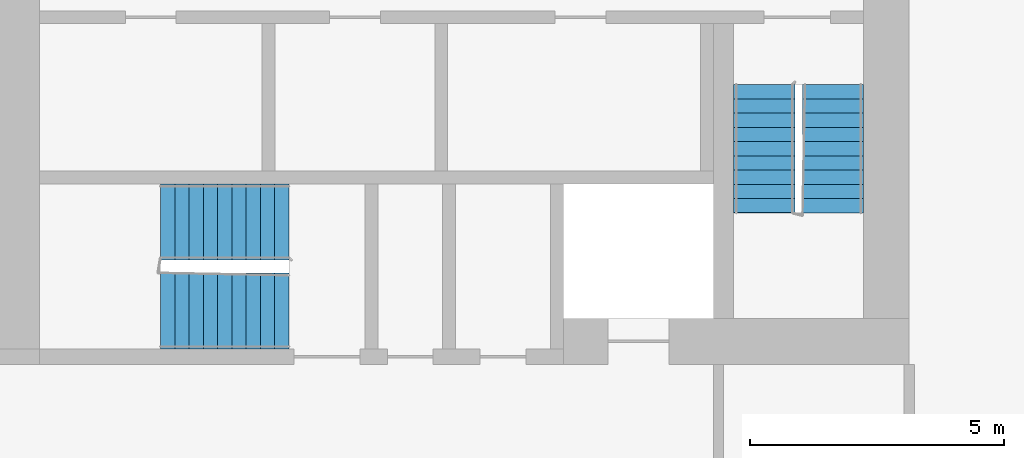
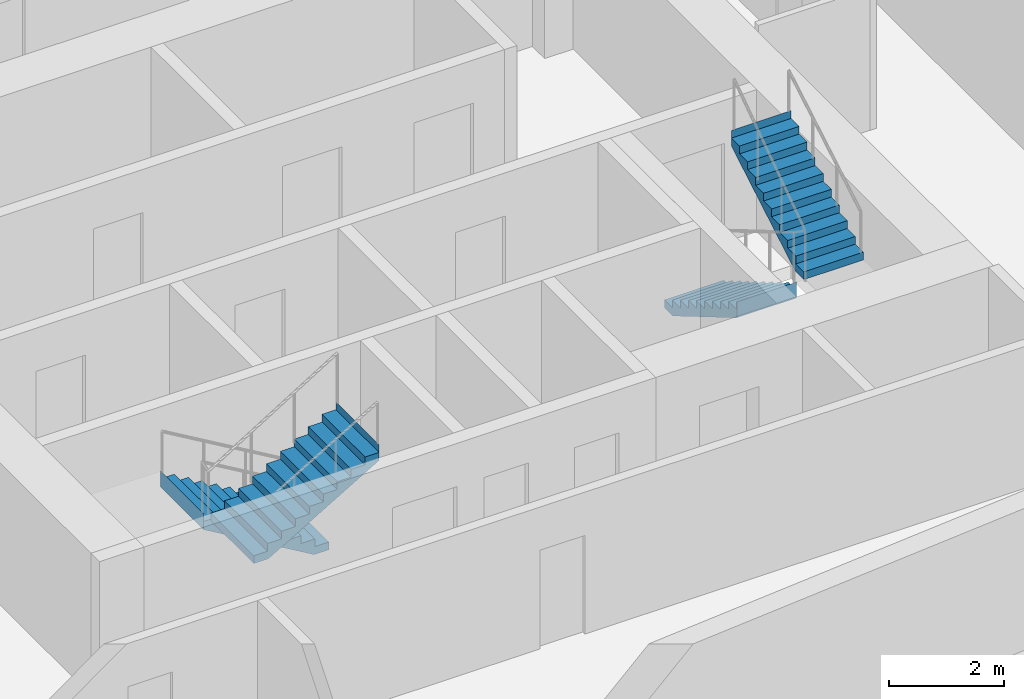
# One storey, part 9 of 12: 4 stair flights, 2 elements without a shape of their own.
"""IFC4 building model written with IfcOpenShell, lengths in metres."""

from ifc_helpers import new_model, si_unit, direction, frame, origin, place, context, subcontext, project, spatial, faceted_brep, material, type_object, element, aggregate, save


model = new_model("IFC4")

# Units and contexts
model_context = context("Model", 3, precision=1e-05, world=origin(), true_north=direction((0.0, 1.0)))
body_context = subcontext(model_context, "Body", "Model", "MODEL_VIEW")
ifc_project = project(units=[si_unit("LENGTHUNIT", "METRE"), si_unit("AREAUNIT", "SQUARE_METRE"), si_unit("VOLUMEUNIT", "CUBIC_METRE"), si_unit("PLANEANGLEUNIT", "RADIAN"), si_unit("MASSUNIT", "GRAM", prefix="KILO")], contexts=[model_context])

# Site, building, storey
site_placement = place(None, origin())
site = spatial("IfcSite", under=ifc_project, at=site_placement, CompositionType="ELEMENT")
building_placement = place(site_placement, origin())
building = spatial("IfcBuilding", under=site, at=building_placement, Name="Kajstack Hotel Tower", CompositionType="ELEMENT")
storey_placement = place(building_placement, frame((0.0, 0.0, 294.89990234375)))
storey = spatial("IfcBuildingStorey", under=building, at=storey_placement, Name="L74", CompositionType="ELEMENT", Elevation=294.89990234375)

# Stair, stair flights
ifc_material = material(Name="Concrete C40/50", Category="concrete")
stair_type_1 = type_object("IfcStairType", Name="Exit stair 1200", PredefinedType="HALF_TURN_STAIR", material=ifc_material)
stair_1_placement = place(storey_placement, origin())
stair_1 = element("IfcStair", 1, at=stair_1_placement, inside=storey, type_object=stair_type_1, Name="L74 stair W2", PredefinedType="HALF_TURN_STAIR")
stair_flight_type_1 = type_object("IfcStairFlightType", Name="Exit stair flight 1200", PredefinedType="STRAIGHT", material=ifc_material)
stair_flight_1_placement = place(storey_placement, frame((-16.35009765625, -10.0, 0.0), z_axis=(0.0, 0.0, 1.0), x_axis=(0.0, -1.0, 0.0)))
stair_flight_1 = element("IfcStairFlight", 2, at=stair_flight_1_placement, type_object=stair_flight_type_1, Name="W2 flight 1", NumberOfRisers=10, NumberOfTreads=9, PredefinedType="STRAIGHT", RiserHeight=0.165, TreadLength=0.28, context=body_context, shape_type="Brep", body=[
    faceted_brep([(0.295654296875, -0.60009765625, 0.0), (2.5205078125, -0.60009765625, 1.31103515625), (2.5205078125, -0.60009765625, 1.64990234375), (2.52001953125, -0.60009765625, 1.64990234375), (2.52001953125, -0.60009765625, 1.485107421875), (2.239990234375, -0.60009765625, 1.485107421875), (2.239990234375, -0.60009765625, 1.320068359375), (1.9599609375, -0.60009765625, 1.320068359375), (1.9599609375, -0.60009765625, 1.155029296875), (1.679931640625, -0.60009765625, 1.155029296875), (1.679931640625, -0.60009765625, 0.989990234375), (1.39990234375, -0.60009765625, 0.989990234375), (1.39990234375, -0.60009765625, 0.824951171875), (1.1201171875, -0.60009765625, 0.824951171875), (1.1201171875, -0.60009765625, 0.659912109375), (0.840087890625, -0.60009765625, 0.659912109375), (0.840087890625, -0.60009765625, 0.4951171875), (0.56005859375, -0.60009765625, 0.4951171875), (0.56005859375, -0.60009765625, 0.330078125), (0.280029296875, -0.60009765625, 0.330078125), (0.280029296875, -0.60009765625, 0.1650390625), (-0.00048828125, -0.60009765625, 0.1650390625), (-0.00048828125, -0.60009765625, 0.0), (-0.00048828125, 0.60009765625, 0.0), (-0.00048828125, 0.60009765625, 0.1650390625), (0.280029296875, 0.60009765625, 0.1650390625), (0.280029296875, 0.60009765625, 0.330078125), (0.56005859375, 0.60009765625, 0.330078125), (0.56005859375, 0.60009765625, 0.4951171875), (0.840087890625, 0.60009765625, 0.4951171875), (0.840087890625, 0.60009765625, 0.659912109375), (1.1201171875, 0.60009765625, 0.659912109375), (1.1201171875, 0.60009765625, 0.824951171875), (1.39990234375, 0.60009765625, 0.824951171875), (1.39990234375, 0.60009765625, 0.989990234375), (1.679931640625, 0.60009765625, 0.989990234375), (1.679931640625, 0.60009765625, 1.155029296875), (1.9599609375, 0.60009765625, 1.155029296875), (1.9599609375, 0.60009765625, 1.320068359375), (2.239990234375, 0.60009765625, 1.320068359375), (2.239990234375, 0.60009765625, 1.485107421875), (2.52001953125, 0.60009765625, 1.485107421875), (2.52001953125, 0.60009765625, 1.64990234375), (2.5205078125, 0.60009765625, 1.64990234375), (2.5205078125, 0.60009765625, 1.31103515625), (0.295654296875, 0.60009765625, 0.0), (-0.00048828125, -0.300048828125, 0.1650390625), (-0.00048828125, 0.0, 0.1650390625), (-0.00048828125, 0.300048828125, 0.1650390625), (-0.00048828125, 0.300048828125, 0.0), (-0.00048828125, 0.0, 0.0), (-0.00048828125, -0.300048828125, 0.0), (0.280029296875, -0.300048828125, 0.1650390625), (0.280029296875, 0.0, 0.1650390625), (0.280029296875, 0.300048828125, 0.1650390625), (0.280029296875, -0.300048828125, 0.330078125), (0.280029296875, 0.0, 0.330078125), (0.280029296875, 0.300048828125, 0.330078125), (0.56005859375, -0.300048828125, 0.330078125), (0.56005859375, 0.0, 0.330078125), (0.56005859375, 0.300048828125, 0.330078125), (0.56005859375, -0.300048828125, 0.4951171875), (0.56005859375, 0.0, 0.4951171875), (0.56005859375, 0.300048828125, 0.4951171875), (0.840087890625, -0.300048828125, 0.4951171875), (0.840087890625, 0.0, 0.4951171875), (0.840087890625, 0.300048828125, 0.4951171875), (0.840087890625, -0.300048828125, 0.659912109375), (0.840087890625, 0.0, 0.659912109375), (0.840087890625, 0.300048828125, 0.659912109375), (1.1201171875, -0.300048828125, 0.659912109375), (1.1201171875, 0.0, 0.659912109375), (1.1201171875, 0.300048828125, 0.659912109375), (1.1201171875, -0.300048828125, 0.824951171875), (1.1201171875, 0.0, 0.824951171875), (1.1201171875, 0.300048828125, 0.824951171875), (1.39990234375, -0.300048828125, 0.824951171875), (1.39990234375, 0.0, 0.824951171875), (1.39990234375, 0.300048828125, 0.824951171875), (1.39990234375, -0.300048828125, 0.989990234375), (1.39990234375, 0.0, 0.989990234375), (1.39990234375, 0.300048828125, 0.989990234375), (1.679931640625, -0.300048828125, 0.989990234375), (1.679931640625, 0.0, 0.989990234375), (1.679931640625, 0.300048828125, 0.989990234375), (1.679931640625, -0.300048828125, 1.155029296875), (1.679931640625, 0.0, 1.155029296875), (1.679931640625, 0.300048828125, 1.155029296875), (1.9599609375, -0.300048828125, 1.155029296875), (1.9599609375, 0.0, 1.155029296875), (1.9599609375, 0.300048828125, 1.155029296875), (1.9599609375, -0.300048828125, 1.320068359375), (1.9599609375, 0.0, 1.320068359375), (1.9599609375, 0.300048828125, 1.320068359375), (2.239990234375, -0.300048828125, 1.320068359375), (2.239990234375, 0.0, 1.320068359375), (2.239990234375, 0.300048828125, 1.320068359375), (2.239990234375, -0.300048828125, 1.485107421875), (2.239990234375, 0.0, 1.485107421875), (2.239990234375, 0.300048828125, 1.485107421875), (2.52001953125, -0.300048828125, 1.485107421875), (2.52001953125, 0.0, 1.485107421875), (2.52001953125, 0.300048828125, 1.485107421875), (2.52001953125, -0.300048828125, 1.64990234375), (2.52001953125, 0.0, 1.64990234375), (2.52001953125, 0.300048828125, 1.64990234375), (2.5205078125, -0.300048828125, 1.64990234375), (2.5205078125, 0.0, 1.64990234375), (2.5205078125, 0.300048828125, 1.64990234375), (2.5205078125, -0.300048828125, 1.31103515625), (2.5205078125, 0.0, 1.31103515625), (2.5205078125, 0.300048828125, 1.31103515625), (0.295654296875, -0.300048828125, 0.0), (0.295654296875, 0.0, 0.0), (0.295654296875, 0.300048828125, 0.0)], [[[0, 1, 2, 3, 4, 5, 6, 7, 8, 9, 10, 11, 12, 13, 14, 15, 16, 17, 18, 19, 20, 21, 22]], [[23, 24, 25, 26, 27, 28, 29, 30, 31, 32, 33, 34, 35, 36, 37, 38, 39, 40, 41, 42, 43, 44, 45]], [[21, 46, 47, 48, 24, 23, 49, 50, 51, 22]], [[20, 52, 53, 54, 25, 24, 48, 47, 46, 21]], [[19, 55, 56, 57, 26, 25, 54, 53, 52, 20]], [[18, 58, 59, 60, 27, 26, 57, 56, 55, 19]], [[17, 61, 62, 63, 28, 27, 60, 59, 58, 18]], [[16, 64, 65, 66, 29, 28, 63, 62, 61, 17]], [[15, 67, 68, 69, 30, 29, 66, 65, 64, 16]], [[14, 70, 71, 72, 31, 30, 69, 68, 67, 15]], [[13, 73, 74, 75, 32, 31, 72, 71, 70, 14]], [[12, 76, 77, 78, 33, 32, 75, 74, 73, 13]], [[11, 79, 80, 81, 34, 33, 78, 77, 76, 12]], [[10, 82, 83, 84, 35, 34, 81, 80, 79, 11]], [[9, 85, 86, 87, 36, 35, 84, 83, 82, 10]], [[8, 88, 89, 90, 37, 36, 87, 86, 85, 9]], [[7, 91, 92, 93, 38, 37, 90, 89, 88, 8]], [[6, 94, 95, 96, 39, 38, 93, 92, 91, 7]], [[5, 97, 98, 99, 40, 39, 96, 95, 94, 6]], [[4, 100, 101, 102, 41, 40, 99, 98, 97, 5]], [[3, 103, 104, 105, 42, 41, 102, 101, 100, 4]], [[2, 106, 107, 108, 43, 42, 105, 104, 103, 3]], [[1, 109, 110, 111, 44, 43, 108, 107, 106, 2]], [[0, 112, 113, 114, 45, 44, 111, 110, 109, 1]], [[22, 51, 50, 49, 23, 45, 114, 113, 112, 0]]]),
])
stair_flight_2_placement = place(storey_placement, frame((-15.0, -12.52001953125, 1.650146484375), z_axis=(0.0, 0.0, 1.0), x_axis=(0.0, 1.0, 0.0)))
stair_flight_2 = element("IfcStairFlight", 3, at=stair_flight_2_placement, type_object=stair_flight_type_1, Name="W2 flight 2", NumberOfRisers=10, NumberOfTreads=9, PredefinedType="STRAIGHT", RiserHeight=0.165, TreadLength=0.28, context=body_context, shape_type="Brep", body=[
    faceted_brep([(0.295654296875, -0.60009765625, 0.0), (2.5205078125, -0.60009765625, 1.31103515625), (2.5205078125, -0.60009765625, 1.64990234375), (2.52001953125, -0.60009765625, 1.64990234375), (2.52001953125, -0.60009765625, 1.485107421875), (2.239990234375, -0.60009765625, 1.485107421875), (2.239990234375, -0.60009765625, 1.320068359375), (1.9599609375, -0.60009765625, 1.320068359375), (1.9599609375, -0.60009765625, 1.155029296875), (1.679931640625, -0.60009765625, 1.155029296875), (1.679931640625, -0.60009765625, 0.989990234375), (1.39990234375, -0.60009765625, 0.989990234375), (1.39990234375, -0.60009765625, 0.824951171875), (1.1201171875, -0.60009765625, 0.824951171875), (1.1201171875, -0.60009765625, 0.659912109375), (0.840087890625, -0.60009765625, 0.659912109375), (0.840087890625, -0.60009765625, 0.4951171875), (0.56005859375, -0.60009765625, 0.4951171875), (0.56005859375, -0.60009765625, 0.330078125), (0.280029296875, -0.60009765625, 0.330078125), (0.280029296875, -0.60009765625, 0.1650390625), (-0.00048828125, -0.60009765625, 0.1650390625), (-0.00048828125, -0.60009765625, 0.0), (-0.00048828125, 0.60009765625, 0.0), (-0.00048828125, 0.60009765625, 0.1650390625), (0.280029296875, 0.60009765625, 0.1650390625), (0.280029296875, 0.60009765625, 0.330078125), (0.56005859375, 0.60009765625, 0.330078125), (0.56005859375, 0.60009765625, 0.4951171875), (0.840087890625, 0.60009765625, 0.4951171875), (0.840087890625, 0.60009765625, 0.659912109375), (1.1201171875, 0.60009765625, 0.659912109375), (1.1201171875, 0.60009765625, 0.824951171875), (1.39990234375, 0.60009765625, 0.824951171875), (1.39990234375, 0.60009765625, 0.989990234375), (1.679931640625, 0.60009765625, 0.989990234375), (1.679931640625, 0.60009765625, 1.155029296875), (1.9599609375, 0.60009765625, 1.155029296875), (1.9599609375, 0.60009765625, 1.320068359375), (2.239990234375, 0.60009765625, 1.320068359375), (2.239990234375, 0.60009765625, 1.485107421875), (2.52001953125, 0.60009765625, 1.485107421875), (2.52001953125, 0.60009765625, 1.64990234375), (2.5205078125, 0.60009765625, 1.64990234375), (2.5205078125, 0.60009765625, 1.31103515625), (0.295654296875, 0.60009765625, 0.0), (-0.00048828125, -0.300048828125, 0.1650390625), (-0.00048828125, 0.0, 0.1650390625), (-0.00048828125, 0.300048828125, 0.1650390625), (-0.00048828125, 0.300048828125, 0.0), (-0.00048828125, 0.0, 0.0), (-0.00048828125, -0.300048828125, 0.0), (0.280029296875, -0.300048828125, 0.1650390625), (0.280029296875, 0.0, 0.1650390625), (0.280029296875, 0.300048828125, 0.1650390625), (0.280029296875, -0.300048828125, 0.330078125), (0.280029296875, 0.0, 0.330078125), (0.280029296875, 0.300048828125, 0.330078125), (0.56005859375, -0.300048828125, 0.330078125), (0.56005859375, 0.0, 0.330078125), (0.56005859375, 0.300048828125, 0.330078125), (0.56005859375, -0.300048828125, 0.4951171875), (0.56005859375, 0.0, 0.4951171875), (0.56005859375, 0.300048828125, 0.4951171875), (0.840087890625, -0.300048828125, 0.4951171875), (0.840087890625, 0.0, 0.4951171875), (0.840087890625, 0.300048828125, 0.4951171875), (0.840087890625, -0.300048828125, 0.659912109375), (0.840087890625, 0.0, 0.659912109375), (0.840087890625, 0.300048828125, 0.659912109375), (1.1201171875, -0.300048828125, 0.659912109375), (1.1201171875, 0.0, 0.659912109375), (1.1201171875, 0.300048828125, 0.659912109375), (1.1201171875, -0.300048828125, 0.824951171875), (1.1201171875, 0.0, 0.824951171875), (1.1201171875, 0.300048828125, 0.824951171875), (1.39990234375, -0.300048828125, 0.824951171875), (1.39990234375, 0.0, 0.824951171875), (1.39990234375, 0.300048828125, 0.824951171875), (1.39990234375, -0.300048828125, 0.989990234375), (1.39990234375, 0.0, 0.989990234375), (1.39990234375, 0.300048828125, 0.989990234375), (1.679931640625, -0.300048828125, 0.989990234375), (1.679931640625, 0.0, 0.989990234375), (1.679931640625, 0.300048828125, 0.989990234375), (1.679931640625, -0.300048828125, 1.155029296875), (1.679931640625, 0.0, 1.155029296875), (1.679931640625, 0.300048828125, 1.155029296875), (1.9599609375, -0.300048828125, 1.155029296875), (1.9599609375, 0.0, 1.155029296875), (1.9599609375, 0.300048828125, 1.155029296875), (1.9599609375, -0.300048828125, 1.320068359375), (1.9599609375, 0.0, 1.320068359375), (1.9599609375, 0.300048828125, 1.320068359375), (2.239990234375, -0.300048828125, 1.320068359375), (2.239990234375, 0.0, 1.320068359375), (2.239990234375, 0.300048828125, 1.320068359375), (2.239990234375, -0.300048828125, 1.485107421875), (2.239990234375, 0.0, 1.485107421875), (2.239990234375, 0.300048828125, 1.485107421875), (2.52001953125, -0.300048828125, 1.485107421875), (2.52001953125, 0.0, 1.485107421875), (2.52001953125, 0.300048828125, 1.485107421875), (2.52001953125, -0.300048828125, 1.64990234375), (2.52001953125, 0.0, 1.64990234375), (2.52001953125, 0.300048828125, 1.64990234375), (2.5205078125, -0.300048828125, 1.64990234375), (2.5205078125, 0.0, 1.64990234375), (2.5205078125, 0.300048828125, 1.64990234375), (2.5205078125, -0.300048828125, 1.31103515625), (2.5205078125, 0.0, 1.31103515625), (2.5205078125, 0.300048828125, 1.31103515625), (0.295654296875, -0.300048828125, 0.0), (0.295654296875, 0.0, 0.0), (0.295654296875, 0.300048828125, 0.0)], [[[0, 1, 2, 3, 4, 5, 6, 7, 8, 9, 10, 11, 12, 13, 14, 15, 16, 17, 18, 19, 20, 21, 22]], [[23, 24, 25, 26, 27, 28, 29, 30, 31, 32, 33, 34, 35, 36, 37, 38, 39, 40, 41, 42, 43, 44, 45]], [[21, 46, 47, 48, 24, 23, 49, 50, 51, 22]], [[20, 52, 53, 54, 25, 24, 48, 47, 46, 21]], [[19, 55, 56, 57, 26, 25, 54, 53, 52, 20]], [[18, 58, 59, 60, 27, 26, 57, 56, 55, 19]], [[17, 61, 62, 63, 28, 27, 60, 59, 58, 18]], [[16, 64, 65, 66, 29, 28, 63, 62, 61, 17]], [[15, 67, 68, 69, 30, 29, 66, 65, 64, 16]], [[14, 70, 71, 72, 31, 30, 69, 68, 67, 15]], [[13, 73, 74, 75, 32, 31, 72, 71, 70, 14]], [[12, 76, 77, 78, 33, 32, 75, 74, 73, 13]], [[11, 79, 80, 81, 34, 33, 78, 77, 76, 12]], [[10, 82, 83, 84, 35, 34, 81, 80, 79, 11]], [[9, 85, 86, 87, 36, 35, 84, 83, 82, 10]], [[8, 88, 89, 90, 37, 36, 87, 86, 85, 9]], [[7, 91, 92, 93, 38, 37, 90, 89, 88, 8]], [[6, 94, 95, 96, 39, 38, 93, 92, 91, 7]], [[5, 97, 98, 99, 40, 39, 96, 95, 94, 6]], [[4, 100, 101, 102, 41, 40, 99, 98, 97, 5]], [[3, 103, 104, 105, 42, 41, 102, 101, 100, 4]], [[2, 106, 107, 108, 43, 42, 105, 104, 103, 3]], [[1, 109, 110, 111, 44, 43, 108, 107, 106, 2]], [[0, 112, 113, 114, 45, 44, 111, 110, 109, 1]], [[22, 51, 50, 49, 23, 45, 114, 113, 112, 0]]]),
])
aggregate(stair_1, [stair_flight_1, stair_flight_2])

stair_type_2 = type_object("IfcStairType", Name="Exit stair 1500", PredefinedType="HALF_TURN_STAIR", material=ifc_material)
stair_2_placement = place(storey_placement, origin())
stair_2 = element("IfcStair", 4, at=stair_2_placement, inside=storey, type_object=stair_type_2, Name="L74 stair W3", PredefinedType="HALF_TURN_STAIR")
stair_flight_type_2 = type_object("IfcStairFlightType", Name="Exit stair flight 1500", PredefinedType="STRAIGHT", material=ifc_material)
stair_flight_3_placement = place(storey_placement, frame((-25.699951171875, -12.699951171875, 0.0), z_axis=(0.0, 0.0, 1.0), x_axis=(-1.0, 0.0, 0.0)))
stair_flight_3 = element("IfcStairFlight", 5, at=stair_flight_3_placement, type_object=stair_flight_type_2, Name="W3 flight 1", NumberOfRisers=10, NumberOfTreads=9, PredefinedType="STRAIGHT", RiserHeight=0.165, TreadLength=0.28, context=body_context, shape_type="Brep", body=[
    faceted_brep([(0.295654296875, -0.75, 0.0), (2.5205078125, -0.75, 1.31103515625), (2.5205078125, -0.75, 1.64990234375), (2.52001953125, -0.75, 1.64990234375), (2.52001953125, -0.75, 1.485107421875), (2.239990234375, -0.75, 1.485107421875), (2.239990234375, -0.75, 1.320068359375), (1.9599609375, -0.75, 1.320068359375), (1.9599609375, -0.75, 1.155029296875), (1.679931640625, -0.75, 1.155029296875), (1.679931640625, -0.75, 0.989990234375), (1.39990234375, -0.75, 0.989990234375), (1.39990234375, -0.75, 0.824951171875), (1.1201171875, -0.75, 0.824951171875), (1.1201171875, -0.75, 0.659912109375), (0.840087890625, -0.75, 0.659912109375), (0.840087890625, -0.75, 0.4951171875), (0.56005859375, -0.75, 0.4951171875), (0.56005859375, -0.75, 0.330078125), (0.280029296875, -0.75, 0.330078125), (0.280029296875, -0.75, 0.1650390625), (-0.00048828125, -0.75, 0.1650390625), (-0.00048828125, -0.75, 0.0), (-0.00048828125, 0.75, 0.0), (-0.00048828125, 0.75, 0.1650390625), (0.280029296875, 0.75, 0.1650390625), (0.280029296875, 0.75, 0.330078125), (0.56005859375, 0.75, 0.330078125), (0.56005859375, 0.75, 0.4951171875), (0.840087890625, 0.75, 0.4951171875), (0.840087890625, 0.75, 0.659912109375), (1.1201171875, 0.75, 0.659912109375), (1.1201171875, 0.75, 0.824951171875), (1.39990234375, 0.75, 0.824951171875), (1.39990234375, 0.75, 0.989990234375), (1.679931640625, 0.75, 0.989990234375), (1.679931640625, 0.75, 1.155029296875), (1.9599609375, 0.75, 1.155029296875), (1.9599609375, 0.75, 1.320068359375), (2.239990234375, 0.75, 1.320068359375), (2.239990234375, 0.75, 1.485107421875), (2.52001953125, 0.75, 1.485107421875), (2.52001953125, 0.75, 1.64990234375), (2.5205078125, 0.75, 1.64990234375), (2.5205078125, 0.75, 1.31103515625), (0.295654296875, 0.75, 0.0), (-0.00048828125, -0.375, 0.1650390625), (-0.00048828125, 0.0, 0.1650390625), (-0.00048828125, 0.375, 0.1650390625), (-0.00048828125, 0.375, 0.0), (-0.00048828125, 0.0, 0.0), (-0.00048828125, -0.375, 0.0), (0.280029296875, -0.375, 0.1650390625), (0.280029296875, 0.0, 0.1650390625), (0.280029296875, 0.375, 0.1650390625), (0.280029296875, -0.375, 0.330078125), (0.280029296875, 0.0, 0.330078125), (0.280029296875, 0.375, 0.330078125), (0.56005859375, -0.375, 0.330078125), (0.56005859375, 0.0, 0.330078125), (0.56005859375, 0.375, 0.330078125), (0.56005859375, -0.375, 0.4951171875), (0.56005859375, 0.0, 0.4951171875), (0.56005859375, 0.375, 0.4951171875), (0.840087890625, -0.375, 0.4951171875), (0.840087890625, 0.0, 0.4951171875), (0.840087890625, 0.375, 0.4951171875), (0.840087890625, -0.375, 0.659912109375), (0.840087890625, 0.0, 0.659912109375), (0.840087890625, 0.375, 0.659912109375), (1.1201171875, -0.375, 0.659912109375), (1.1201171875, 0.0, 0.659912109375), (1.1201171875, 0.375, 0.659912109375), (1.1201171875, -0.375, 0.824951171875), (1.1201171875, 0.0, 0.824951171875), (1.1201171875, 0.375, 0.824951171875), (1.39990234375, -0.375, 0.824951171875), (1.39990234375, 0.0, 0.824951171875), (1.39990234375, 0.375, 0.824951171875), (1.39990234375, -0.375, 0.989990234375), (1.39990234375, 0.0, 0.989990234375), (1.39990234375, 0.375, 0.989990234375), (1.679931640625, -0.375, 0.989990234375), (1.679931640625, 0.0, 0.989990234375), (1.679931640625, 0.375, 0.989990234375), (1.679931640625, -0.375, 1.155029296875), (1.679931640625, 0.0, 1.155029296875), (1.679931640625, 0.375, 1.155029296875), (1.9599609375, -0.375, 1.155029296875), (1.9599609375, 0.0, 1.155029296875), (1.9599609375, 0.375, 1.155029296875), (1.9599609375, -0.375, 1.320068359375), (1.9599609375, 0.0, 1.320068359375), (1.9599609375, 0.375, 1.320068359375), (2.239990234375, -0.375, 1.320068359375), (2.239990234375, 0.0, 1.320068359375), (2.239990234375, 0.375, 1.320068359375), (2.239990234375, -0.375, 1.485107421875), (2.239990234375, 0.0, 1.485107421875), (2.239990234375, 0.375, 1.485107421875), (2.52001953125, -0.375, 1.485107421875), (2.52001953125, 0.0, 1.485107421875), (2.52001953125, 0.375, 1.485107421875), (2.52001953125, -0.375, 1.64990234375), (2.52001953125, 0.0, 1.64990234375), (2.52001953125, 0.375, 1.64990234375), (2.5205078125, -0.375, 1.64990234375), (2.5205078125, 0.0, 1.64990234375), (2.5205078125, 0.375, 1.64990234375), (2.5205078125, -0.375, 1.31103515625), (2.5205078125, 0.0, 1.31103515625), (2.5205078125, 0.375, 1.31103515625), (0.295654296875, -0.375, 0.0), (0.295654296875, 0.0, 0.0), (0.295654296875, 0.375, 0.0)], [[[0, 1, 2, 3, 4, 5, 6, 7, 8, 9, 10, 11, 12, 13, 14, 15, 16, 17, 18, 19, 20, 21, 22]], [[23, 24, 25, 26, 27, 28, 29, 30, 31, 32, 33, 34, 35, 36, 37, 38, 39, 40, 41, 42, 43, 44, 45]], [[21, 46, 47, 48, 24, 23, 49, 50, 51, 22]], [[20, 52, 53, 54, 25, 24, 48, 47, 46, 21]], [[19, 55, 56, 57, 26, 25, 54, 53, 52, 20]], [[18, 58, 59, 60, 27, 26, 57, 56, 55, 19]], [[17, 61, 62, 63, 28, 27, 60, 59, 58, 18]], [[16, 64, 65, 66, 29, 28, 63, 62, 61, 17]], [[15, 67, 68, 69, 30, 29, 66, 65, 64, 16]], [[14, 70, 71, 72, 31, 30, 69, 68, 67, 15]], [[13, 73, 74, 75, 32, 31, 72, 71, 70, 14]], [[12, 76, 77, 78, 33, 32, 75, 74, 73, 13]], [[11, 79, 80, 81, 34, 33, 78, 77, 76, 12]], [[10, 82, 83, 84, 35, 34, 81, 80, 79, 11]], [[9, 85, 86, 87, 36, 35, 84, 83, 82, 10]], [[8, 88, 89, 90, 37, 36, 87, 86, 85, 9]], [[7, 91, 92, 93, 38, 37, 90, 89, 88, 8]], [[6, 94, 95, 96, 39, 38, 93, 92, 91, 7]], [[5, 97, 98, 99, 40, 39, 96, 95, 94, 6]], [[4, 100, 101, 102, 41, 40, 99, 98, 97, 5]], [[3, 103, 104, 105, 42, 41, 102, 101, 100, 4]], [[2, 106, 107, 108, 43, 42, 105, 104, 103, 3]], [[1, 109, 110, 111, 44, 43, 108, 107, 106, 2]], [[0, 112, 113, 114, 45, 44, 111, 110, 109, 1]], [[22, 51, 50, 49, 23, 45, 114, 113, 112, 0]]]),
])
stair_flight_4_placement = place(storey_placement, frame((-28.219970703125, -14.449951171875, 1.650146484375), z_axis=(0.0, 0.0, 1.0), x_axis=(1.0, 0.0, 0.0)))
stair_flight_4 = element("IfcStairFlight", 6, at=stair_flight_4_placement, type_object=stair_flight_type_2, Name="W3 flight 2", NumberOfRisers=10, NumberOfTreads=9, PredefinedType="STRAIGHT", RiserHeight=0.165, TreadLength=0.28, context=body_context, shape_type="Brep", body=[
    faceted_brep([(0.295654296875, -0.75, 0.0), (2.5205078125, -0.75, 1.31103515625), (2.5205078125, -0.75, 1.64990234375), (2.52001953125, -0.75, 1.64990234375), (2.52001953125, -0.75, 1.485107421875), (2.239990234375, -0.75, 1.485107421875), (2.239990234375, -0.75, 1.320068359375), (1.9599609375, -0.75, 1.320068359375), (1.9599609375, -0.75, 1.155029296875), (1.679931640625, -0.75, 1.155029296875), (1.679931640625, -0.75, 0.989990234375), (1.39990234375, -0.75, 0.989990234375), (1.39990234375, -0.75, 0.824951171875), (1.1201171875, -0.75, 0.824951171875), (1.1201171875, -0.75, 0.659912109375), (0.840087890625, -0.75, 0.659912109375), (0.840087890625, -0.75, 0.4951171875), (0.56005859375, -0.75, 0.4951171875), (0.56005859375, -0.75, 0.330078125), (0.280029296875, -0.75, 0.330078125), (0.280029296875, -0.75, 0.1650390625), (-0.00048828125, -0.75, 0.1650390625), (-0.00048828125, -0.75, 0.0), (-0.00048828125, 0.75, 0.0), (-0.00048828125, 0.75, 0.1650390625), (0.280029296875, 0.75, 0.1650390625), (0.280029296875, 0.75, 0.330078125), (0.56005859375, 0.75, 0.330078125), (0.56005859375, 0.75, 0.4951171875), (0.840087890625, 0.75, 0.4951171875), (0.840087890625, 0.75, 0.659912109375), (1.1201171875, 0.75, 0.659912109375), (1.1201171875, 0.75, 0.824951171875), (1.39990234375, 0.75, 0.824951171875), (1.39990234375, 0.75, 0.989990234375), (1.679931640625, 0.75, 0.989990234375), (1.679931640625, 0.75, 1.155029296875), (1.9599609375, 0.75, 1.155029296875), (1.9599609375, 0.75, 1.320068359375), (2.239990234375, 0.75, 1.320068359375), (2.239990234375, 0.75, 1.485107421875), (2.52001953125, 0.75, 1.485107421875), (2.52001953125, 0.75, 1.64990234375), (2.5205078125, 0.75, 1.64990234375), (2.5205078125, 0.75, 1.31103515625), (0.295654296875, 0.75, 0.0), (-0.00048828125, -0.375, 0.1650390625), (-0.00048828125, 0.0, 0.1650390625), (-0.00048828125, 0.375, 0.1650390625), (-0.00048828125, 0.375, 0.0), (-0.00048828125, 0.0, 0.0), (-0.00048828125, -0.375, 0.0), (0.280029296875, -0.375, 0.1650390625), (0.280029296875, 0.0, 0.1650390625), (0.280029296875, 0.375, 0.1650390625), (0.280029296875, -0.375, 0.330078125), (0.280029296875, 0.0, 0.330078125), (0.280029296875, 0.375, 0.330078125), (0.56005859375, -0.375, 0.330078125), (0.56005859375, 0.0, 0.330078125), (0.56005859375, 0.375, 0.330078125), (0.56005859375, -0.375, 0.4951171875), (0.56005859375, 0.0, 0.4951171875), (0.56005859375, 0.375, 0.4951171875), (0.840087890625, -0.375, 0.4951171875), (0.840087890625, 0.0, 0.4951171875), (0.840087890625, 0.375, 0.4951171875), (0.840087890625, -0.375, 0.659912109375), (0.840087890625, 0.0, 0.659912109375), (0.840087890625, 0.375, 0.659912109375), (1.1201171875, -0.375, 0.659912109375), (1.1201171875, 0.0, 0.659912109375), (1.1201171875, 0.375, 0.659912109375), (1.1201171875, -0.375, 0.824951171875), (1.1201171875, 0.0, 0.824951171875), (1.1201171875, 0.375, 0.824951171875), (1.39990234375, -0.375, 0.824951171875), (1.39990234375, 0.0, 0.824951171875), (1.39990234375, 0.375, 0.824951171875), (1.39990234375, -0.375, 0.989990234375), (1.39990234375, 0.0, 0.989990234375), (1.39990234375, 0.375, 0.989990234375), (1.679931640625, -0.375, 0.989990234375), (1.679931640625, 0.0, 0.989990234375), (1.679931640625, 0.375, 0.989990234375), (1.679931640625, -0.375, 1.155029296875), (1.679931640625, 0.0, 1.155029296875), (1.679931640625, 0.375, 1.155029296875), (1.9599609375, -0.375, 1.155029296875), (1.9599609375, 0.0, 1.155029296875), (1.9599609375, 0.375, 1.155029296875), (1.9599609375, -0.375, 1.320068359375), (1.9599609375, 0.0, 1.320068359375), (1.9599609375, 0.375, 1.320068359375), (2.239990234375, -0.375, 1.320068359375), (2.239990234375, 0.0, 1.320068359375), (2.239990234375, 0.375, 1.320068359375), (2.239990234375, -0.375, 1.485107421875), (2.239990234375, 0.0, 1.485107421875), (2.239990234375, 0.375, 1.485107421875), (2.52001953125, -0.375, 1.485107421875), (2.52001953125, 0.0, 1.485107421875), (2.52001953125, 0.375, 1.485107421875), (2.52001953125, -0.375, 1.64990234375), (2.52001953125, 0.0, 1.64990234375), (2.52001953125, 0.375, 1.64990234375), (2.5205078125, -0.375, 1.64990234375), (2.5205078125, 0.0, 1.64990234375), (2.5205078125, 0.375, 1.64990234375), (2.5205078125, -0.375, 1.31103515625), (2.5205078125, 0.0, 1.31103515625), (2.5205078125, 0.375, 1.31103515625), (0.295654296875, -0.375, 0.0), (0.295654296875, 0.0, 0.0), (0.295654296875, 0.375, 0.0)], [[[0, 1, 2, 3, 4, 5, 6, 7, 8, 9, 10, 11, 12, 13, 14, 15, 16, 17, 18, 19, 20, 21, 22]], [[23, 24, 25, 26, 27, 28, 29, 30, 31, 32, 33, 34, 35, 36, 37, 38, 39, 40, 41, 42, 43, 44, 45]], [[21, 46, 47, 48, 24, 23, 49, 50, 51, 22]], [[20, 52, 53, 54, 25, 24, 48, 47, 46, 21]], [[19, 55, 56, 57, 26, 25, 54, 53, 52, 20]], [[18, 58, 59, 60, 27, 26, 57, 56, 55, 19]], [[17, 61, 62, 63, 28, 27, 60, 59, 58, 18]], [[16, 64, 65, 66, 29, 28, 63, 62, 61, 17]], [[15, 67, 68, 69, 30, 29, 66, 65, 64, 16]], [[14, 70, 71, 72, 31, 30, 69, 68, 67, 15]], [[13, 73, 74, 75, 32, 31, 72, 71, 70, 14]], [[12, 76, 77, 78, 33, 32, 75, 74, 73, 13]], [[11, 79, 80, 81, 34, 33, 78, 77, 76, 12]], [[10, 82, 83, 84, 35, 34, 81, 80, 79, 11]], [[9, 85, 86, 87, 36, 35, 84, 83, 82, 10]], [[8, 88, 89, 90, 37, 36, 87, 86, 85, 9]], [[7, 91, 92, 93, 38, 37, 90, 89, 88, 8]], [[6, 94, 95, 96, 39, 38, 93, 92, 91, 7]], [[5, 97, 98, 99, 40, 39, 96, 95, 94, 6]], [[4, 100, 101, 102, 41, 40, 99, 98, 97, 5]], [[3, 103, 104, 105, 42, 41, 102, 101, 100, 4]], [[2, 106, 107, 108, 43, 42, 105, 104, 103, 3]], [[1, 109, 110, 111, 44, 43, 108, 107, 106, 2]], [[0, 112, 113, 114, 45, 44, 111, 110, 109, 1]], [[22, 51, 50, 49, 23, 45, 114, 113, 112, 0]]]),
])
aggregate(stair_2, [stair_flight_3, stair_flight_4])

save(model, "model.ifc")
